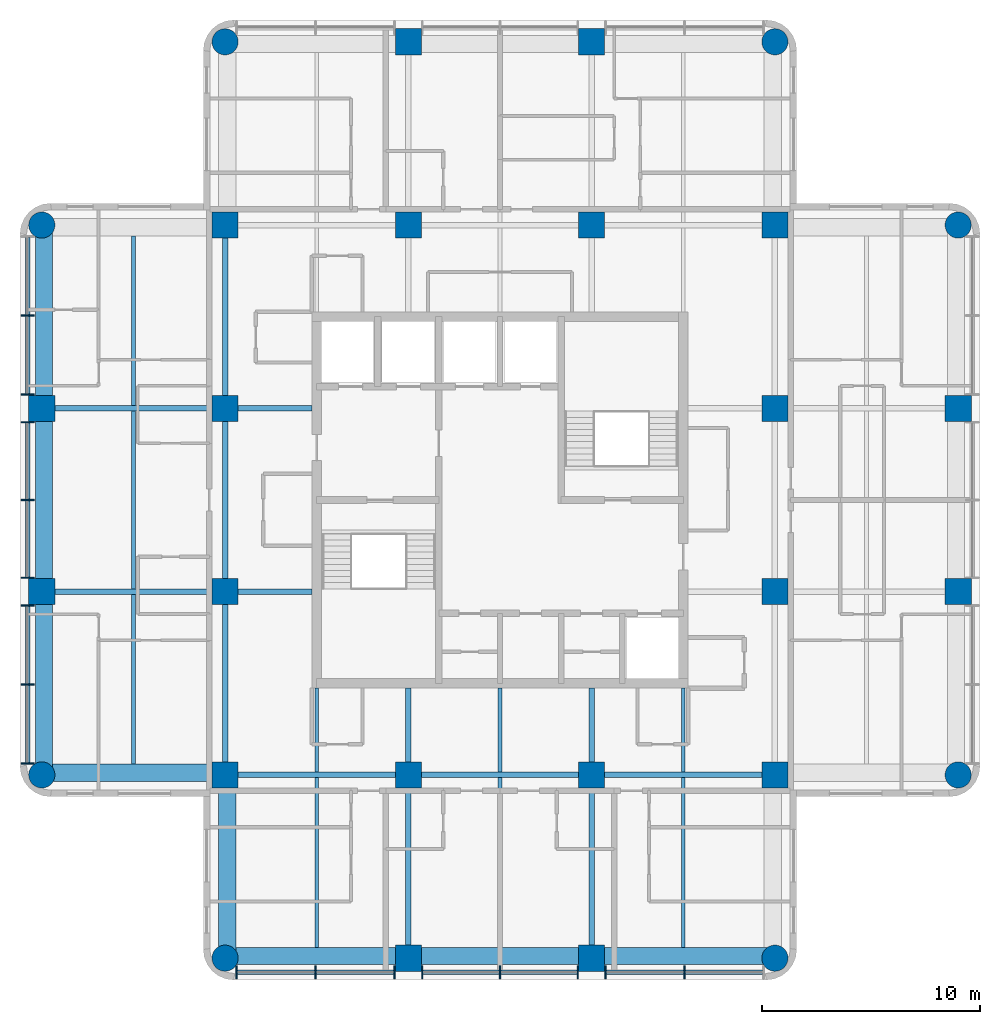
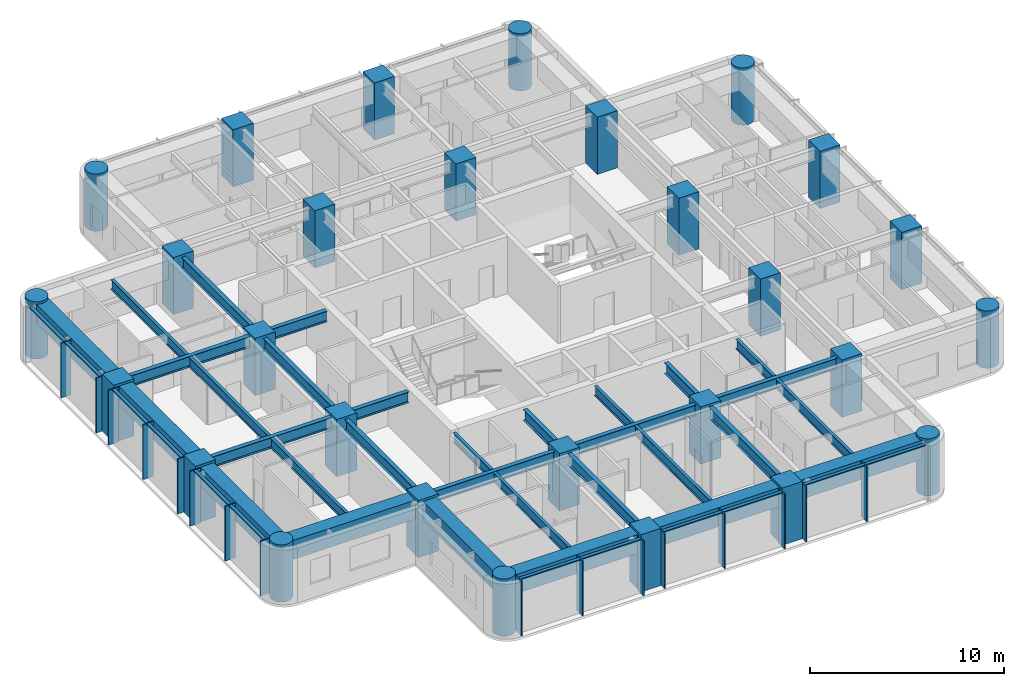
# One storey, part 1 of 10: 31 beams, 28 columns, 28 members, 2 elements without a shape of their own.
"""IFC4 building model written with IfcOpenShell, lengths in metres."""

from ifc_helpers import new_model, si_unit, direction, frame, origin, origin_2d, place, context, subcontext, project, spatial, rectangle, circle, i_section, extrude, material, material_profile, profile_set, type_object, element, aggregate, save


model = new_model("IFC4")

# Units and contexts
model_context = context("Model", 3, precision=1e-05, world=origin(), true_north=direction((0.0, 1.0)))
body_context = subcontext(model_context, "Body", "Model", "MODEL_VIEW")
ifc_project = project(units=[si_unit("LENGTHUNIT", "METRE"), si_unit("AREAUNIT", "SQUARE_METRE"), si_unit("VOLUMEUNIT", "CUBIC_METRE"), si_unit("PLANEANGLEUNIT", "RADIAN"), si_unit("MASSUNIT", "GRAM", prefix="KILO")], contexts=[model_context])

# Site, building, storey
site_placement = place(None, origin())
site = spatial("IfcSite", under=ifc_project, at=site_placement, CompositionType="ELEMENT")
building_placement = place(site_placement, origin())
building = spatial("IfcBuilding", under=site, at=building_placement, Name="Torre Alcanfor", CompositionType="ELEMENT")
storey_placement = place(building_placement, frame((0.0, 0.0, 279.300048828125)))
storey = spatial("IfcBuildingStorey", under=building, at=storey_placement, Name="L73", CompositionType="ELEMENT", Elevation=279.300048828125)

# Columns
ifc_material_1 = material(Name="Concrete f'c 70 MPa", Category="concrete")
ifc_material_profile_1 = material_profile(ifc_material_1, rectangle(XDim=1.199951171875, YDim=1.199951171875, at=origin_2d()), Name="1200x1200")
ifc_profile_set_1 = profile_set([ifc_material_profile_1], Name="Concrete f'c 70 MPa")
column_type_1 = type_object("IfcColumnType", Name="RC column 1200x1200 f'c70", PredefinedType="COLUMN", material=ifc_profile_set_1)
for number, where, z_axis, x_axis, name in (
    (1, (8.39990234375, 25.199951171875, 0.0), (0.0, 0.0, 1.0), (1.0, 0.0, 0.0), "Column 2/F L73"),
    (2, (8.39990234375, 33.60009765625, 0.0), (0.0, 0.0, 1.0), (1.0, 0.0, 0.0), "Column 2/G L73"),
    (3, (16.800048828125, 16.800048828125, 0.0), (0.0, 0.0, 1.0), (1.0, 0.0, 0.0), "Column 3/E L73"),
    (4, (16.800048828125, 25.199951171875, 0.0), (0.0, 0.0, 1.0), (1.0, 0.0, 0.0), "Column 3/F L73"),
    (5, (16.800048828125, 33.60009765625, 0.0), (0.0, 0.0, 1.0), (1.0, 0.0, 0.0), "Column 3/G L73"),
    (6, (16.800048828125, 42.0, 0.0), (0.0, 0.0, 1.0), (1.0, 0.0, 0.0), "Column 3/H L73"),
    (7, (25.199951171875, 8.39990234375, 0.0), (0.0, 0.0, 1.0), (1.0, 0.0, 0.0), "Column 4/D L73"),
    (8, (25.199951171875, 16.800048828125, 0.0), (0.0, 0.0, 1.0), (1.0, 0.0, 0.0), "Column 4/E L73"),
    (9, (25.199951171875, 42.0, 0.0), (0.0, 0.0, 1.0), (1.0, 0.0, 0.0), "Column 4/H L73"),
    (10, (25.199951171875, 50.39990234375, 0.0), (0.0, 0.0, 1.0), (1.0, 0.0, 0.0), "Column 4/J L73"),
    (11, (33.60009765625, 8.39990234375, 0.0), (0.0, 0.0, 1.0), (1.0, 0.0, 0.0), "Column 5/D L73"),
    (12, (33.60009765625, 16.800048828125, 0.0), (0.0, 0.0, 1.0), (1.0, 0.0, 0.0), "Column 5/E L73"),
    (13, (33.60009765625, 42.0, 0.0), (0.0, 0.0, 1.0), (1.0, 0.0, 0.0), "Column 5/H L73"),
    (14, (33.60009765625, 50.39990234375, 0.0), (0.0, 0.0, 1.0), (1.0, 0.0, 0.0), "Column 5/J L73"),
    (15, (42.0, 16.800048828125, 0.0), (0.0, 0.0, 1.0), (1.0, 0.0, 0.0), "Column 6/E L73"),
    (16, (42.0, 25.199951171875, 0.0), (0.0, 0.0, 1.0), (1.0, 0.0, 0.0), "Column 6/F L73"),
    (17, (42.0, 33.60009765625, 0.0), (0.0, 0.0, 1.0), (1.0, 0.0, 0.0), "Column 6/G L73"),
    (18, (42.0, 42.0, 0.0), (0.0, 0.0, 1.0), (1.0, 0.0, 0.0), "Column 6/H L73"),
    (19, (50.39990234375, 25.199951171875, 0.0), (0.0, 0.0, 1.0), (1.0, 0.0, 0.0), "Column 7/F L73"),
    (20, (50.39990234375, 33.60009765625, 0.0), (0.0, 0.0, 1.0), (1.0, 0.0, 0.0), "Column 7/G L73"),
):
    element("IfcColumn", number, at=place(storey_placement, frame(where, z_axis=z_axis, x_axis=x_axis)), inside=storey, type_object=column_type_1, Name=name, PredefinedType="COLUMN", context=body_context, shape_type="SweptSolid", body=[
        extrude(rectangle(XDim=1.199951171875, YDim=1.199951171875, at=origin_2d()), origin(), (0.0, 0.0, 1.0), 3.599853515625),
    ])
ifc_material_2 = material(Name="Concrete f'c 70 MPa", Category="concrete")
ifc_material_profile_2 = material_profile(ifc_material_2, circle(Radius=0.60009765625, at=origin_2d()), Name="D1200")
ifc_profile_set_2 = profile_set([ifc_material_profile_2], Name="Concrete f'c 70 MPa")
column_type_2 = type_object("IfcColumnType", Name="RC column D1200 f'c70", PredefinedType="COLUMN", material=ifc_profile_set_2)
for number, where, z_axis, x_axis, name in (
    (21, (8.39990234375, 16.800048828125, 0.0), (0.0, 0.0, 1.0), (1.0, 0.0, 0.0), "Column 2/E L73"),
    (22, (8.39990234375, 42.0, 0.0), (0.0, 0.0, 1.0), (1.0, 0.0, 0.0), "Column 2/H L73"),
    (23, (16.800048828125, 8.39990234375, 0.0), (0.0, 0.0, 1.0), (1.0, 0.0, 0.0), "Column 3/D L73"),
    (24, (16.800048828125, 50.39990234375, 0.0), (0.0, 0.0, 1.0), (1.0, 0.0, 0.0), "Column 3/J L73"),
    (25, (42.0, 8.39990234375, 0.0), (0.0, 0.0, 1.0), (1.0, 0.0, 0.0), "Column 6/D L73"),
    (26, (42.0, 50.39990234375, 0.0), (0.0, 0.0, 1.0), (1.0, 0.0, 0.0), "Column 6/J L73"),
    (27, (50.39990234375, 16.800048828125, 0.0), (0.0, 0.0, 1.0), (1.0, 0.0, 0.0), "Column 7/E L73"),
    (28, (50.39990234375, 42.0, 0.0), (0.0, 0.0, 1.0), (1.0, 0.0, 0.0), "Column 7/H L73"),
):
    element("IfcColumn", number, at=place(storey_placement, frame(where, z_axis=z_axis, x_axis=x_axis)), inside=storey, type_object=column_type_2, Name=name, PredefinedType="COLUMN", context=body_context, shape_type="SweptSolid", body=[
        extrude(circle(Radius=0.60009765625, at=origin_2d()), origin(), (0.0, 0.0, 1.0), 3.599853515625),
    ])

# Curtain wall, members
ifc_material_3 = material(Name="Aluminium and glass", Category="aluminium")
curtain_wall_type = type_object("IfcCurtainWallType", Name="CW-A unitised apartment glazing with vertical FIN", PredefinedType="NOTDEFINED", material=ifc_material_3)
curtain_wall_1_placement = place(storey_placement, origin())
curtain_wall_1 = element("IfcCurtainWall", 29, at=curtain_wall_1_placement, inside=storey, type_object=curtain_wall_type, Name="Curtain wall CW-A L73 2", PredefinedType="NOTDEFINED")
ifc_material_4 = material(Name="Bronze anodised aluminium", Category="aluminium")
ifc_material_profile_3 = material_profile(ifc_material_4, rectangle(XDim=0.60009765625, YDim=0.06494140625, at=origin_2d()), Name="CW-A mullion 65x600")
ifc_profile_set_3 = profile_set([ifc_material_profile_3], Name="Bronze anodised aluminium")
member_type_1 = type_object("IfcMemberType", Name="CW-A mullion with vertical FIN 65x600", PredefinedType="MULLION", material=ifc_profile_set_3)
member_1_placement = place(storey_placement, frame((7.75, 37.855712890625, 0.0), z_axis=(0.0, 0.0, 1.0), x_axis=(1.0, 0.0, 0.0)))
member_1 = element("IfcMember", 30, at=member_1_placement, type_object=member_type_1, Name="CW-A mullion 1.2", PredefinedType="MULLION", context=body_context, shape_type="SweptSolid", body=[
    extrude(rectangle(XDim=0.60009765625, YDim=0.06494140625, at=origin_2d()), origin(), (0.0, 0.0, 1.0), 3.449951171875),
])
member_2_placement = place(storey_placement, frame((7.75, 34.237548828125, 0.0), z_axis=(0.0, 0.0, 1.0), x_axis=(1.0, 0.0, 0.0)))
member_2 = element("IfcMember", 31, at=member_2_placement, type_object=member_type_1, Name="CW-A mullion 1.3", PredefinedType="MULLION", context=body_context, shape_type="SweptSolid", body=[
    extrude(rectangle(XDim=0.60009765625, YDim=0.06494140625, at=origin_2d()), origin(), (0.0, 0.0, 1.0), 3.449951171875),
])
member_3_placement = place(storey_placement, frame((7.75, 32.96240234375, 0.0), z_axis=(0.0, 0.0, 1.0), x_axis=(1.0, 0.0, 0.0)))
member_3 = element("IfcMember", 32, at=member_3_placement, type_object=member_type_1, Name="CW-A mullion 2.1", PredefinedType="MULLION", context=body_context, shape_type="SweptSolid", body=[
    extrude(rectangle(XDim=0.60009765625, YDim=0.06494140625, at=origin_2d()), origin(), (0.0, 0.0, 1.0), 3.449951171875),
])
member_4_placement = place(storey_placement, frame((7.75, 29.39990234375, 0.0), z_axis=(0.0, 0.0, 1.0), x_axis=(1.0, 0.0, 0.0)))
member_4 = element("IfcMember", 33, at=member_4_placement, type_object=member_type_1, Name="CW-A mullion 2.2", PredefinedType="MULLION", context=body_context, shape_type="SweptSolid", body=[
    extrude(rectangle(XDim=0.60009765625, YDim=0.06494140625, at=origin_2d()), origin(), (0.0, 0.0, 1.0), 3.449951171875),
])
member_5_placement = place(storey_placement, frame((7.75, 25.83740234375, 0.0), z_axis=(0.0, 0.0, 1.0), x_axis=(1.0, 0.0, 0.0)))
member_5 = element("IfcMember", 34, at=member_5_placement, type_object=member_type_1, Name="CW-A mullion 2.3", PredefinedType="MULLION", context=body_context, shape_type="SweptSolid", body=[
    extrude(rectangle(XDim=0.60009765625, YDim=0.06494140625, at=origin_2d()), origin(), (0.0, 0.0, 1.0), 3.449951171875),
])
member_6_placement = place(storey_placement, frame((7.75, 24.5625, 0.0), z_axis=(0.0, 0.0, 1.0), x_axis=(1.0, 0.0, 0.0)))
member_6 = element("IfcMember", 35, at=member_6_placement, type_object=member_type_1, Name="CW-A mullion 3.1", PredefinedType="MULLION", context=body_context, shape_type="SweptSolid", body=[
    extrude(rectangle(XDim=0.60009765625, YDim=0.06494140625, at=origin_2d()), origin(), (0.0, 0.0, 1.0), 3.449951171875),
])
member_7_placement = place(storey_placement, frame((7.75, 20.9443359375, 0.0), z_axis=(0.0, 0.0, 1.0), x_axis=(1.0, 0.0, 0.0)))
member_7 = element("IfcMember", 36, at=member_7_placement, type_object=member_type_1, Name="CW-A mullion 3.2", PredefinedType="MULLION", context=body_context, shape_type="SweptSolid", body=[
    extrude(rectangle(XDim=0.60009765625, YDim=0.06494140625, at=origin_2d()), origin(), (0.0, 0.0, 1.0), 3.449951171875),
])
member_8_placement = place(storey_placement, frame((7.75, 17.325927734375, 0.0), z_axis=(0.0, 0.0, 1.0), x_axis=(1.0, 0.0, 0.0)))
member_8 = element("IfcMember", 37, at=member_8_placement, type_object=member_type_1, Name="CW-A mullion 3.3", PredefinedType="MULLION", context=body_context, shape_type="SweptSolid", body=[
    extrude(rectangle(XDim=0.60009765625, YDim=0.06494140625, at=origin_2d()), origin(), (0.0, 0.0, 1.0), 3.449951171875),
])

curtain_wall_2_placement = place(storey_placement, origin())
curtain_wall_2 = element("IfcCurtainWall", 38, at=curtain_wall_2_placement, inside=storey, type_object=curtain_wall_type, Name="Curtain wall CW-A L73 5", PredefinedType="NOTDEFINED")
member_9_placement = place(storey_placement, frame((17.325927734375, 7.75, 0.0), z_axis=(0.0, 0.0, 1.0), x_axis=(0.0, 1.0, 0.0)))
member_9 = element("IfcMember", 39, at=member_9_placement, type_object=member_type_1, Name="CW-A mullion 1.1", PredefinedType="MULLION", context=body_context, shape_type="SweptSolid", body=[
    extrude(rectangle(XDim=0.60009765625, YDim=0.06494140625, at=origin_2d()), origin(), (0.0, 0.0, 1.0), 3.449951171875),
])
member_10_placement = place(storey_placement, frame((20.9443359375, 7.75, 0.0), z_axis=(0.0, 0.0, 1.0), x_axis=(0.0, 1.0, 0.0)))
member_10 = element("IfcMember", 40, at=member_10_placement, type_object=member_type_1, Name="CW-A mullion 1.2", PredefinedType="MULLION", context=body_context, shape_type="SweptSolid", body=[
    extrude(rectangle(XDim=0.60009765625, YDim=0.06494140625, at=origin_2d()), origin(), (0.0, 0.0, 1.0), 3.449951171875),
])
member_11_placement = place(storey_placement, frame((24.5625, 7.75, 0.0), z_axis=(0.0, 0.0, 1.0), x_axis=(0.0, 1.0, 0.0)))
member_11 = element("IfcMember", 41, at=member_11_placement, type_object=member_type_1, Name="CW-A mullion 1.3", PredefinedType="MULLION", context=body_context, shape_type="SweptSolid", body=[
    extrude(rectangle(XDim=0.60009765625, YDim=0.06494140625, at=origin_2d()), origin(), (0.0, 0.0, 1.0), 3.449951171875),
])
member_12_placement = place(storey_placement, frame((25.83740234375, 7.75, 0.0), z_axis=(0.0, 0.0, 1.0), x_axis=(0.0, 1.0, 0.0)))
member_12 = element("IfcMember", 42, at=member_12_placement, type_object=member_type_1, Name="CW-A mullion 2.1", PredefinedType="MULLION", context=body_context, shape_type="SweptSolid", body=[
    extrude(rectangle(XDim=0.60009765625, YDim=0.06494140625, at=origin_2d()), origin(), (0.0, 0.0, 1.0), 3.449951171875),
])
member_13_placement = place(storey_placement, frame((29.39990234375, 7.75, 0.0), z_axis=(0.0, 0.0, 1.0), x_axis=(0.0, 1.0, 0.0)))
member_13 = element("IfcMember", 43, at=member_13_placement, type_object=member_type_1, Name="CW-A mullion 2.2", PredefinedType="MULLION", context=body_context, shape_type="SweptSolid", body=[
    extrude(rectangle(XDim=0.60009765625, YDim=0.06494140625, at=origin_2d()), origin(), (0.0, 0.0, 1.0), 3.449951171875),
])
member_14_placement = place(storey_placement, frame((32.96240234375, 7.75, 0.0), z_axis=(0.0, 0.0, 1.0), x_axis=(0.0, 1.0, 0.0)))
member_14 = element("IfcMember", 44, at=member_14_placement, type_object=member_type_1, Name="CW-A mullion 2.3", PredefinedType="MULLION", context=body_context, shape_type="SweptSolid", body=[
    extrude(rectangle(XDim=0.60009765625, YDim=0.06494140625, at=origin_2d()), origin(), (0.0, 0.0, 1.0), 3.449951171875),
])
member_15_placement = place(storey_placement, frame((34.237548828125, 7.75, 0.0), z_axis=(0.0, 0.0, 1.0), x_axis=(0.0, 1.0, 0.0)))
member_15 = element("IfcMember", 45, at=member_15_placement, type_object=member_type_1, Name="CW-A mullion 3.1", PredefinedType="MULLION", context=body_context, shape_type="SweptSolid", body=[
    extrude(rectangle(XDim=0.60009765625, YDim=0.06494140625, at=origin_2d()), origin(), (0.0, 0.0, 1.0), 3.449951171875),
])
member_16_placement = place(storey_placement, frame((37.855712890625, 7.75, 0.0), z_axis=(0.0, 0.0, 1.0), x_axis=(0.0, 1.0, 0.0)))
member_16 = element("IfcMember", 46, at=member_16_placement, type_object=member_type_1, Name="CW-A mullion 3.2", PredefinedType="MULLION", context=body_context, shape_type="SweptSolid", body=[
    extrude(rectangle(XDim=0.60009765625, YDim=0.06494140625, at=origin_2d()), origin(), (0.0, 0.0, 1.0), 3.449951171875),
])

# Member
ifc_material_5 = material(Name="Extruded aluminium", Category="aluminium")
ifc_material_profile_4 = material_profile(ifc_material_5, rectangle(XDim=0.199951171875, YDim=0.06494140625, at=origin_2d()), Name="CW-A transom 200x65")
ifc_profile_set_4 = profile_set([ifc_material_profile_4], Name="Extruded aluminium")
member_type_2 = type_object("IfcMemberType", Name="CW-A transom 65x200", PredefinedType="USERDEFINED", material=ifc_profile_set_4)
member_17_placement = place(storey_placement, frame((7.75, 41.44140625, 3.41748046875), z_axis=(0.0, -1.0, 0.0), x_axis=(1.0, 0.0, 0.0)))
member_17 = element("IfcMember", 47, at=member_17_placement, type_object=member_type_2, Name="CW-A transom 1.1.2", ObjectType="TRANSOM", PredefinedType="USERDEFINED", context=body_context, shape_type="SweptSolid", body=[
    extrude(rectangle(XDim=0.199951171875, YDim=0.06494140625, at=origin_2d()), origin(), (0.0, 0.0, 1.0), 3.55322265625),
])

member_18_placement = place(storey_placement, frame((7.75, 37.8232421875, 3.41748046875), z_axis=(0.0, -1.0, 0.0), x_axis=(1.0, 0.0, 0.0)))
member_18 = element("IfcMember", 48, at=member_18_placement, type_object=member_type_2, Name="CW-A transom 1.2.2", ObjectType="TRANSOM", PredefinedType="USERDEFINED", context=body_context, shape_type="SweptSolid", body=[
    extrude(rectangle(XDim=0.199951171875, YDim=0.06494140625, at=origin_2d()), origin(), (0.0, 0.0, 1.0), 3.55322265625),
])

member_19_placement = place(storey_placement, frame((7.75, 32.929931640625, 3.41748046875), z_axis=(0.0, -1.0, 0.0), x_axis=(1.0, 0.0, 0.0)))
member_19 = element("IfcMember", 49, at=member_19_placement, type_object=member_type_2, Name="CW-A transom 2.1.2", ObjectType="TRANSOM", PredefinedType="USERDEFINED", context=body_context, shape_type="SweptSolid", body=[
    extrude(rectangle(XDim=0.199951171875, YDim=0.06494140625, at=origin_2d()), origin(), (0.0, 0.0, 1.0), 3.497314453125),
])

member_20_placement = place(storey_placement, frame((7.75, 29.367431640625, 3.41748046875), z_axis=(0.0, -1.0, 0.0), x_axis=(1.0, 0.0, 0.0)))
member_20 = element("IfcMember", 50, at=member_20_placement, type_object=member_type_2, Name="CW-A transom 2.2.2", ObjectType="TRANSOM", PredefinedType="USERDEFINED", context=body_context, shape_type="SweptSolid", body=[
    extrude(rectangle(XDim=0.199951171875, YDim=0.06494140625, at=origin_2d()), origin(), (0.0, 0.0, 1.0), 3.497314453125),
])

member_21_placement = place(storey_placement, frame((7.75, 24.530029296875, 3.41748046875), z_axis=(0.0, -1.0, 0.0), x_axis=(1.0, 0.0, 0.0)))
member_21 = element("IfcMember", 51, at=member_21_placement, type_object=member_type_2, Name="CW-A transom 3.1.2", ObjectType="TRANSOM", PredefinedType="USERDEFINED", context=body_context, shape_type="SweptSolid", body=[
    extrude(rectangle(XDim=0.199951171875, YDim=0.06494140625, at=origin_2d()), origin(), (0.0, 0.0, 1.0), 3.55322265625),
])

member_22_placement = place(storey_placement, frame((7.75, 20.911865234375, 3.41748046875), z_axis=(0.0, -1.0, 0.0), x_axis=(1.0, 0.0, 0.0)))
member_22 = element("IfcMember", 52, at=member_22_placement, type_object=member_type_2, Name="CW-A transom 3.2.2", ObjectType="TRANSOM", PredefinedType="USERDEFINED", context=body_context, shape_type="SweptSolid", body=[
    extrude(rectangle(XDim=0.199951171875, YDim=0.06494140625, at=origin_2d()), origin(), (0.0, 0.0, 1.0), 3.553466796875),
])

aggregate(curtain_wall_1, [member_1, member_2, member_17, member_18, member_3, member_4, member_5, member_19, member_20, member_6, member_7, member_8, member_21, member_22])

member_23_placement = place(storey_placement, frame((17.3583984375, 7.75, 3.41748046875), z_axis=(1.0, 0.0, 0.0), x_axis=(0.0, 1.0, 0.0)))
member_23 = element("IfcMember", 53, at=member_23_placement, type_object=member_type_2, Name="CW-A transom 1.1.2", ObjectType="TRANSOM", PredefinedType="USERDEFINED", context=body_context, shape_type="SweptSolid", body=[
    extrude(rectangle(XDim=0.199951171875, YDim=0.06494140625, at=origin_2d()), origin(), (0.0, 0.0, 1.0), 3.553466796875),
])

member_24_placement = place(storey_placement, frame((20.976806640625, 7.75, 3.41748046875), z_axis=(1.0, 0.0, 0.0), x_axis=(0.0, 1.0, 0.0)))
member_24 = element("IfcMember", 54, at=member_24_placement, type_object=member_type_2, Name="CW-A transom 1.2.2", ObjectType="TRANSOM", PredefinedType="USERDEFINED", context=body_context, shape_type="SweptSolid", body=[
    extrude(rectangle(XDim=0.199951171875, YDim=0.06494140625, at=origin_2d()), origin(), (0.0, 0.0, 1.0), 3.55322265625),
])

member_25_placement = place(storey_placement, frame((25.8701171875, 7.75, 3.41748046875), z_axis=(1.0, 0.0, 0.0), x_axis=(0.0, 1.0, 0.0)))
member_25 = element("IfcMember", 55, at=member_25_placement, type_object=member_type_2, Name="CW-A transom 2.1.2", ObjectType="TRANSOM", PredefinedType="USERDEFINED", context=body_context, shape_type="SweptSolid", body=[
    extrude(rectangle(XDim=0.199951171875, YDim=0.06494140625, at=origin_2d()), origin(), (0.0, 0.0, 1.0), 3.497314453125),
])

member_26_placement = place(storey_placement, frame((29.4326171875, 7.75, 3.41748046875), z_axis=(1.0, 0.0, 0.0), x_axis=(0.0, 1.0, 0.0)))
member_26 = element("IfcMember", 56, at=member_26_placement, type_object=member_type_2, Name="CW-A transom 2.2.2", ObjectType="TRANSOM", PredefinedType="USERDEFINED", context=body_context, shape_type="SweptSolid", body=[
    extrude(rectangle(XDim=0.199951171875, YDim=0.06494140625, at=origin_2d()), origin(), (0.0, 0.0, 1.0), 3.497314453125),
])

member_27_placement = place(storey_placement, frame((34.27001953125, 7.75, 3.41748046875), z_axis=(1.0, 0.0, 0.0), x_axis=(0.0, 1.0, 0.0)))
member_27 = element("IfcMember", 57, at=member_27_placement, type_object=member_type_2, Name="CW-A transom 3.1.2", ObjectType="TRANSOM", PredefinedType="USERDEFINED", context=body_context, shape_type="SweptSolid", body=[
    extrude(rectangle(XDim=0.199951171875, YDim=0.06494140625, at=origin_2d()), origin(), (0.0, 0.0, 1.0), 3.55322265625),
])

member_28_placement = place(storey_placement, frame((37.88818359375, 7.75, 3.41748046875), z_axis=(1.0, 0.0, 0.0), x_axis=(0.0, 1.0, 0.0)))
member_28 = element("IfcMember", 58, at=member_28_placement, type_object=member_type_2, Name="CW-A transom 3.2.2", ObjectType="TRANSOM", PredefinedType="USERDEFINED", context=body_context, shape_type="SweptSolid", body=[
    extrude(rectangle(XDim=0.199951171875, YDim=0.06494140625, at=origin_2d()), origin(), (0.0, 0.0, 1.0), 3.55322265625),
])

aggregate(curtain_wall_2, [member_9, member_10, member_11, member_23, member_24, member_12, member_13, member_14, member_25, member_26, member_15, member_16, member_27, member_28])

# Beams
ifc_material_6 = material(Name="Steel ASTM A992 Grade 50", Category="steel")
ifc_material_profile_5 = material_profile(ifc_material_6, i_section(OverallWidth=0.25390625, OverallDepth=0.683349609375, WebThickness=0.012451171875, FlangeThickness=0.01904296875, at=origin_2d()), Name="W27x94")
ifc_profile_set_5 = profile_set([ifc_material_profile_5], Name="Steel ASTM A992 Grade 50")
beam_type_1 = type_object("IfcBeamType", Name="Girder W27x94", PredefinedType="BEAM", material=ifc_profile_set_5)
beam_1_placement = place(storey_placement, frame((16.800048828125, 16.800048828125, 3.1083984375), z_axis=(1.0, 0.0, 0.0), x_axis=(0.0, 1.0, 0.0)))
element("IfcBeam", 59, at=beam_1_placement, inside=storey, type_object=beam_type_1, Name="Beam 3E-4E under L74", PredefinedType="BEAM", context=body_context, shape_type="SweptSolid", body=[
    extrude(i_section(OverallWidth=0.25390625, OverallDepth=0.683349609375, WebThickness=0.012451171875, FlangeThickness=0.01904296875, at=origin_2d()), origin(), (0.0, 0.0, 1.0), 8.39990234375),
])
beam_2_placement = place(storey_placement, frame((25.199951171875, 16.800048828125, 3.1083984375), z_axis=(1.0, 0.0, 0.0), x_axis=(0.0, 1.0, 0.0)))
element("IfcBeam", 60, at=beam_2_placement, inside=storey, type_object=beam_type_1, Name="Beam 4E-5E under L74", PredefinedType="BEAM", context=body_context, shape_type="SweptSolid", body=[
    extrude(i_section(OverallWidth=0.25390625, OverallDepth=0.683349609375, WebThickness=0.012451171875, FlangeThickness=0.01904296875, at=origin_2d()), origin(), (0.0, 0.0, 1.0), 8.400146484375),
])
beam_3_placement = place(storey_placement, frame((33.60009765625, 16.800048828125, 3.1083984375), z_axis=(1.0, 0.0, 0.0), x_axis=(0.0, 1.0, 0.0)))
element("IfcBeam", 61, at=beam_3_placement, inside=storey, type_object=beam_type_1, Name="Beam 5E-6E under L74", PredefinedType="BEAM", context=body_context, shape_type="SweptSolid", body=[
    extrude(i_section(OverallWidth=0.25390625, OverallDepth=0.683349609375, WebThickness=0.012451171875, FlangeThickness=0.01904296875, at=origin_2d()), origin(), (0.0, 0.0, 1.0), 8.39990234375),
])
for number, where, z_axis, x_axis, name in (
    (62, (8.39990234375, 25.199951171875, 3.1083984375), (1.0, 0.0, 0.0), (0.0, 1.0, 0.0), "Beam 2F-3F under L74"),
    (63, (8.39990234375, 33.60009765625, 3.1083984375), (1.0, 0.0, 0.0), (0.0, 1.0, 0.0), "Beam 2G-3G under L74"),
):
    element("IfcBeam", number, at=place(storey_placement, frame(where, z_axis=z_axis, x_axis=x_axis)), inside=storey, type_object=beam_type_1, Name=name, PredefinedType="BEAM", context=body_context, shape_type="SweptSolid", body=[
        extrude(i_section(OverallWidth=0.25390625, OverallDepth=0.683349609375, WebThickness=0.012451171875, FlangeThickness=0.01904296875, at=origin_2d()), origin(), (0.0, 0.0, 1.0), 8.400146484375),
    ])
beam_4_placement = place(storey_placement, frame((16.800048828125, 16.800048828125, 3.1083984375), z_axis=(0.0, 1.0, 0.0), x_axis=(-1.0, 0.0, 0.0)))
element("IfcBeam", 64, at=beam_4_placement, inside=storey, type_object=beam_type_1, Name="Beam 3E-3F under L74", PredefinedType="BEAM", context=body_context, shape_type="SweptSolid", body=[
    extrude(i_section(OverallWidth=0.25390625, OverallDepth=0.683349609375, WebThickness=0.012451171875, FlangeThickness=0.01904296875, at=origin_2d()), origin(), (0.0, 0.0, 1.0), 8.39990234375),
])
beam_5_placement = place(storey_placement, frame((16.800048828125, 25.199951171875, 3.1083984375), z_axis=(0.0, 1.0, 0.0), x_axis=(-1.0, 0.0, 0.0)))
element("IfcBeam", 65, at=beam_5_placement, inside=storey, type_object=beam_type_1, Name="Beam 3F-3G under L74", PredefinedType="BEAM", context=body_context, shape_type="SweptSolid", body=[
    extrude(i_section(OverallWidth=0.25390625, OverallDepth=0.683349609375, WebThickness=0.012451171875, FlangeThickness=0.01904296875, at=origin_2d()), origin(), (0.0, 0.0, 1.0), 8.400146484375),
])
beam_6_placement = place(storey_placement, frame((16.800048828125, 33.60009765625, 3.1083984375), z_axis=(0.0, 1.0, 0.0), x_axis=(-1.0, 0.0, 0.0)))
element("IfcBeam", 66, at=beam_6_placement, inside=storey, type_object=beam_type_1, Name="Beam 3G-3H under L74", PredefinedType="BEAM", context=body_context, shape_type="SweptSolid", body=[
    extrude(i_section(OverallWidth=0.25390625, OverallDepth=0.683349609375, WebThickness=0.012451171875, FlangeThickness=0.01904296875, at=origin_2d()), origin(), (0.0, 0.0, 1.0), 8.39990234375),
])
for number, where, z_axis, x_axis, name in (
    (67, (25.199951171875, 8.39990234375, 3.1083984375), (0.0, 1.0, 0.0), (-1.0, 0.0, 0.0), "Beam 4D-4E under L74"),
    (68, (33.60009765625, 8.39990234375, 3.1083984375), (0.0, 1.0, 0.0), (-1.0, 0.0, 0.0), "Beam 5D-5E under L74"),
):
    element("IfcBeam", number, at=place(storey_placement, frame(where, z_axis=z_axis, x_axis=x_axis)), inside=storey, type_object=beam_type_1, Name=name, PredefinedType="BEAM", context=body_context, shape_type="SweptSolid", body=[
        extrude(i_section(OverallWidth=0.25390625, OverallDepth=0.683349609375, WebThickness=0.012451171875, FlangeThickness=0.01904296875, at=origin_2d()), origin(), (0.0, 0.0, 1.0), 8.400146484375),
    ])
ifc_material_7 = material(Name="Steel ASTM A992 Grade 50", Category="steel")
ifc_material_profile_6 = material_profile(ifc_material_7, i_section(OverallWidth=0.25390625, OverallDepth=0.683349609375, WebThickness=0.012451171875, FlangeThickness=0.01904296875, at=origin_2d()), Name="W27x94")
ifc_profile_set_6 = profile_set([ifc_material_profile_6], Name="Steel ASTM A992 Grade 50")
beam_type_2 = type_object("IfcBeamType", Name="Girder, part bay W27x94", PredefinedType="BEAM", material=ifc_profile_set_6)
for number, where, z_axis, x_axis, name in (
    (69, (25.199951171875, 16.800048828125, 3.1083984375), (0.0, 1.0, 0.0), (-1.0, 0.0, 0.0), "Beam 4E-420_775 under L74"),
    (70, (33.60009765625, 16.800048828125, 3.1083984375), (0.0, 1.0, 0.0), (-1.0, 0.0, 0.0), "Beam 5E-520_775 under L74"),
    (71, (16.800048828125, 25.199951171875, 3.1083984375), (1.0, 0.0, 0.0), (0.0, 1.0, 0.0), "Beam 3F-20_775F under L74"),
    (72, (16.800048828125, 33.60009765625, 3.1083984375), (1.0, 0.0, 0.0), (0.0, 1.0, 0.0), "Beam 3G-20_775G under L74"),
):
    element("IfcBeam", number, at=place(storey_placement, frame(where, z_axis=z_axis, x_axis=x_axis)), inside=storey, type_object=beam_type_2, Name=name, PredefinedType="BEAM", context=body_context, shape_type="SweptSolid", body=[
        extrude(i_section(OverallWidth=0.25390625, OverallDepth=0.683349609375, WebThickness=0.012451171875, FlangeThickness=0.01904296875, at=origin_2d()), origin(), (0.0, 0.0, 1.0), 3.974853515625),
    ])
ifc_material_8 = material(Name="Concrete f'c 70 MPa", Category="concrete")
ifc_material_profile_7 = material_profile(ifc_material_8, rectangle(XDim=0.800048828125, YDim=1.199951171875, at=origin_2d()), Name="800x1200")
ifc_profile_set_7 = profile_set([ifc_material_profile_7], Name="Concrete f'c 70 MPa")
beam_type_3 = type_object("IfcBeamType", Name="RC perimeter beam 800x1200", PredefinedType="BEAM", material=ifc_profile_set_7)
beam_7_placement = place(storey_placement, frame((16.800048828125, 8.5, 2.849853515625), z_axis=(1.0, 0.0, 0.0), x_axis=(0.0, 1.0, 0.0)))
element("IfcBeam", 73, at=beam_7_placement, inside=storey, type_object=beam_type_3, Name="Beam 3D-4D under L74", PredefinedType="BEAM", context=body_context, shape_type="SweptSolid", body=[
    extrude(rectangle(XDim=0.800048828125, YDim=1.199951171875, at=origin_2d()), origin(), (0.0, 0.0, 1.0), 8.27294921875),
])
beam_8_placement = place(storey_placement, frame((25.326904296875, 8.5, 2.849853515625), z_axis=(1.0, 0.0, 0.0), x_axis=(0.0, 1.0, 0.0)))
element("IfcBeam", 74, at=beam_8_placement, inside=storey, type_object=beam_type_3, Name="Beam 4D-5D under L74", PredefinedType="BEAM", context=body_context, shape_type="SweptSolid", body=[
    extrude(rectangle(XDim=0.800048828125, YDim=1.199951171875, at=origin_2d()), origin(), (0.0, 0.0, 1.0), 8.14599609375),
])
beam_9_placement = place(storey_placement, frame((33.72705078125, 8.5, 2.849853515625), z_axis=(1.0, 0.0, 0.0), x_axis=(0.0, 1.0, 0.0)))
element("IfcBeam", 75, at=beam_9_placement, inside=storey, type_object=beam_type_3, Name="Beam 5D-6D under L74", PredefinedType="BEAM", context=body_context, shape_type="SweptSolid", body=[
    extrude(rectangle(XDim=0.800048828125, YDim=1.199951171875, at=origin_2d()), origin(), (0.0, 0.0, 1.0), 8.27294921875),
])
beam_10_placement = place(storey_placement, frame((8.39990234375, 16.89990234375, 2.849853515625), z_axis=(1.0, 0.0, 0.0), x_axis=(0.0, 1.0, 0.0)))
element("IfcBeam", 76, at=beam_10_placement, inside=storey, type_object=beam_type_3, Name="Beam 2E-3E under L74", PredefinedType="BEAM", context=body_context, shape_type="SweptSolid", body=[
    extrude(rectangle(XDim=0.800048828125, YDim=1.199951171875, at=origin_2d()), origin(), (0.0, 0.0, 1.0), 8.273193359375),
])
beam_11_placement = place(storey_placement, frame((8.5, 16.800048828125, 2.849853515625), z_axis=(0.0, 1.0, 0.0), x_axis=(-1.0, 0.0, 0.0)))
element("IfcBeam", 77, at=beam_11_placement, inside=storey, type_object=beam_type_3, Name="Beam 2E-2F under L74", PredefinedType="BEAM", context=body_context, shape_type="SweptSolid", body=[
    extrude(rectangle(XDim=0.800048828125, YDim=1.199951171875, at=origin_2d()), origin(), (0.0, 0.0, 1.0), 8.27294921875),
])
beam_12_placement = place(storey_placement, frame((8.5, 25.326904296875, 2.849853515625), z_axis=(0.0, 1.0, 0.0), x_axis=(-1.0, 0.0, 0.0)))
element("IfcBeam", 78, at=beam_12_placement, inside=storey, type_object=beam_type_3, Name="Beam 2F-2G under L74", PredefinedType="BEAM", context=body_context, shape_type="SweptSolid", body=[
    extrude(rectangle(XDim=0.800048828125, YDim=1.199951171875, at=origin_2d()), origin(), (0.0, 0.0, 1.0), 8.14599609375),
])
beam_13_placement = place(storey_placement, frame((8.5, 33.72705078125, 2.849853515625), z_axis=(0.0, 1.0, 0.0), x_axis=(-1.0, 0.0, 0.0)))
element("IfcBeam", 79, at=beam_13_placement, inside=storey, type_object=beam_type_3, Name="Beam 2G-2H under L74", PredefinedType="BEAM", context=body_context, shape_type="SweptSolid", body=[
    extrude(rectangle(XDim=0.800048828125, YDim=1.199951171875, at=origin_2d()), origin(), (0.0, 0.0, 1.0), 8.27294921875),
])
beam_14_placement = place(storey_placement, frame((16.89990234375, 8.39990234375, 2.849853515625), z_axis=(0.0, 1.0, 0.0), x_axis=(-1.0, 0.0, 0.0)))
element("IfcBeam", 80, at=beam_14_placement, inside=storey, type_object=beam_type_3, Name="Beam 3D-3E under L74", PredefinedType="BEAM", context=body_context, shape_type="SweptSolid", body=[
    extrude(rectangle(XDim=0.800048828125, YDim=1.199951171875, at=origin_2d()), origin(), (0.0, 0.0, 1.0), 8.273193359375),
])
ifc_material_9 = material(Name="Steel ASTM A992 Grade 50", Category="steel")
ifc_material_profile_8 = material_profile(ifc_material_9, i_section(OverallWidth=0.1787109375, OverallDepth=0.60205078125, WebThickness=0.010986328125, FlangeThickness=0.014892578125, at=origin_2d()), Name="W24x62")
ifc_profile_set_8 = profile_set([ifc_material_profile_8], Name="Steel ASTM A992 Grade 50")
beam_type_4 = type_object("IfcBeamType", Name="Secondary beam W24x62", PredefinedType="BEAM", material=ifc_profile_set_8)
beam_15_placement = place(storey_placement, frame((12.60009765625, 17.300048828125, 3.14892578125), z_axis=(0.0, 1.0, 0.0), x_axis=(-1.0, 0.0, 0.0)))
element("IfcBeam", 81, at=beam_15_placement, inside=storey, type_object=beam_type_4, Name="Beam 12_6E-12_6F under L74", PredefinedType="BEAM", context=body_context, shape_type="SweptSolid", body=[
    extrude(i_section(OverallWidth=0.1787109375, OverallDepth=0.60205078125, WebThickness=0.010986328125, FlangeThickness=0.014892578125, at=origin_2d()), origin(), (0.0, 0.0, 1.0), 7.77294921875),
])
beam_16_placement = place(storey_placement, frame((12.60009765625, 25.326904296875, 3.14892578125), z_axis=(0.0, 1.0, 0.0), x_axis=(-1.0, 0.0, 0.0)))
element("IfcBeam", 82, at=beam_16_placement, inside=storey, type_object=beam_type_4, Name="Beam 12_6F-12_6G under L74", PredefinedType="BEAM", context=body_context, shape_type="SweptSolid", body=[
    extrude(i_section(OverallWidth=0.1787109375, OverallDepth=0.60205078125, WebThickness=0.010986328125, FlangeThickness=0.014892578125, at=origin_2d()), origin(), (0.0, 0.0, 1.0), 8.14599609375),
])
beam_17_placement = place(storey_placement, frame((12.60009765625, 33.72705078125, 3.14892578125), z_axis=(0.0, 1.0, 0.0), x_axis=(-1.0, 0.0, 0.0)))
element("IfcBeam", 83, at=beam_17_placement, inside=storey, type_object=beam_type_4, Name="Beam 12_6G-12_6H under L74", PredefinedType="BEAM", context=body_context, shape_type="SweptSolid", body=[
    extrude(i_section(OverallWidth=0.1787109375, OverallDepth=0.60205078125, WebThickness=0.010986328125, FlangeThickness=0.014892578125, at=origin_2d()), origin(), (0.0, 0.0, 1.0), 7.77294921875),
])
for number, where, z_axis, x_axis, name in (
    (84, (21.0, 8.89990234375, 3.14892578125), (0.0, 1.0, 0.0), (-1.0, 0.0, 0.0), "Beam 21D-21E under L74"),
    (85, (29.39990234375, 8.89990234375, 3.14892578125), (0.0, 1.0, 0.0), (-1.0, 0.0, 0.0), "Beam 29_4D-29_4E under L74"),
    (86, (37.800048828125, 8.89990234375, 3.14892578125), (0.0, 1.0, 0.0), (-1.0, 0.0, 0.0), "Beam 37_8D-37_8E under L74"),
):
    element("IfcBeam", number, at=place(storey_placement, frame(where, z_axis=z_axis, x_axis=x_axis)), inside=storey, type_object=beam_type_4, Name=name, PredefinedType="BEAM", context=body_context, shape_type="SweptSolid", body=[
        extrude(i_section(OverallWidth=0.1787109375, OverallDepth=0.60205078125, WebThickness=0.010986328125, FlangeThickness=0.014892578125, at=origin_2d()), origin(), (0.0, 0.0, 1.0), 7.773193359375),
    ])
ifc_material_10 = material(Name="Steel ASTM A992 Grade 50", Category="steel")
ifc_material_profile_9 = material_profile(ifc_material_10, i_section(OverallWidth=0.1787109375, OverallDepth=0.60205078125, WebThickness=0.010986328125, FlangeThickness=0.014892578125, at=origin_2d()), Name="W24x62")
ifc_profile_set_9 = profile_set([ifc_material_profile_9], Name="Steel ASTM A992 Grade 50")
beam_type_5 = type_object("IfcBeamType", Name="Secondary beam, part bay W24x62", PredefinedType="BEAM", material=ifc_profile_set_9)
for number, where, z_axis, x_axis, name in (
    (87, (21.0, 16.927001953125, 3.14892578125), (0.0, 1.0, 0.0), (-1.0, 0.0, 0.0), "Beam 21E-2120_775 under L74"),
    (88, (29.39990234375, 16.927001953125, 3.14892578125), (0.0, 1.0, 0.0), (-1.0, 0.0, 0.0), "Beam 29_4E-29_420_775 under L74"),
    (89, (37.800048828125, 16.927001953125, 3.14892578125), (0.0, 1.0, 0.0), (-1.0, 0.0, 0.0), "Beam 37_8E-37_820_775 under L74"),
):
    element("IfcBeam", number, at=place(storey_placement, frame(where, z_axis=z_axis, x_axis=x_axis)), inside=storey, type_object=beam_type_5, Name=name, PredefinedType="BEAM", context=body_context, shape_type="SweptSolid", body=[
        extrude(i_section(OverallWidth=0.1787109375, OverallDepth=0.60205078125, WebThickness=0.010986328125, FlangeThickness=0.014892578125, at=origin_2d()), origin(), (0.0, 0.0, 1.0), 3.847900390625),
    ])

save(model, "model.ifc")
